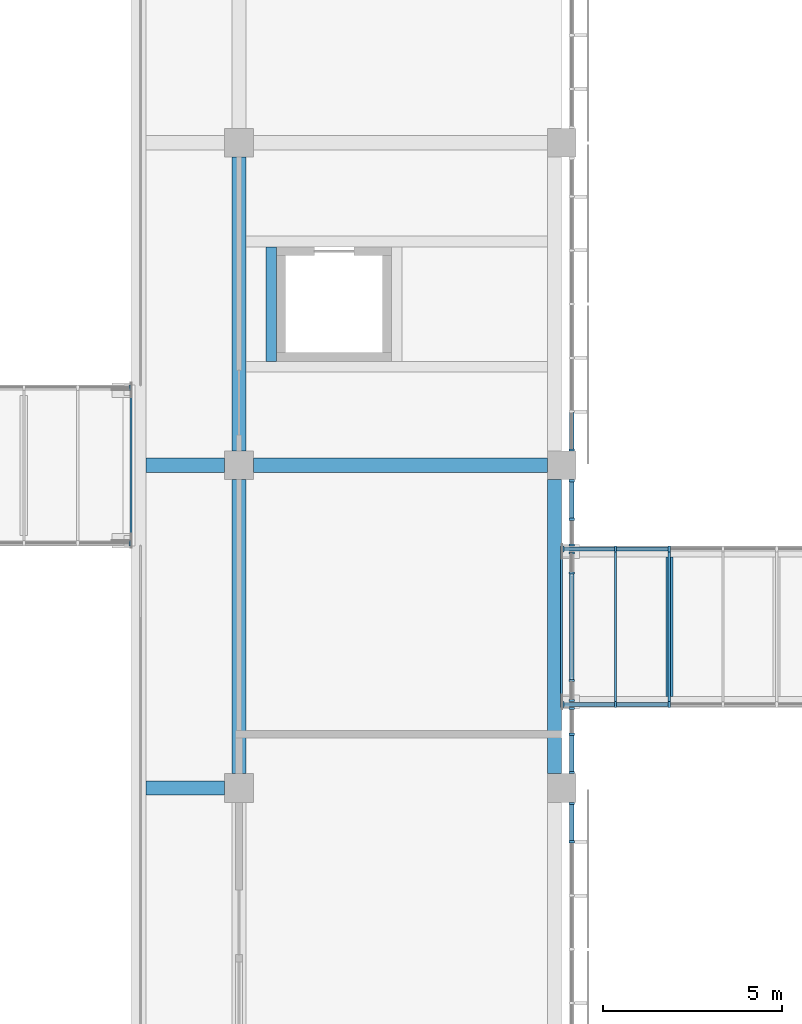
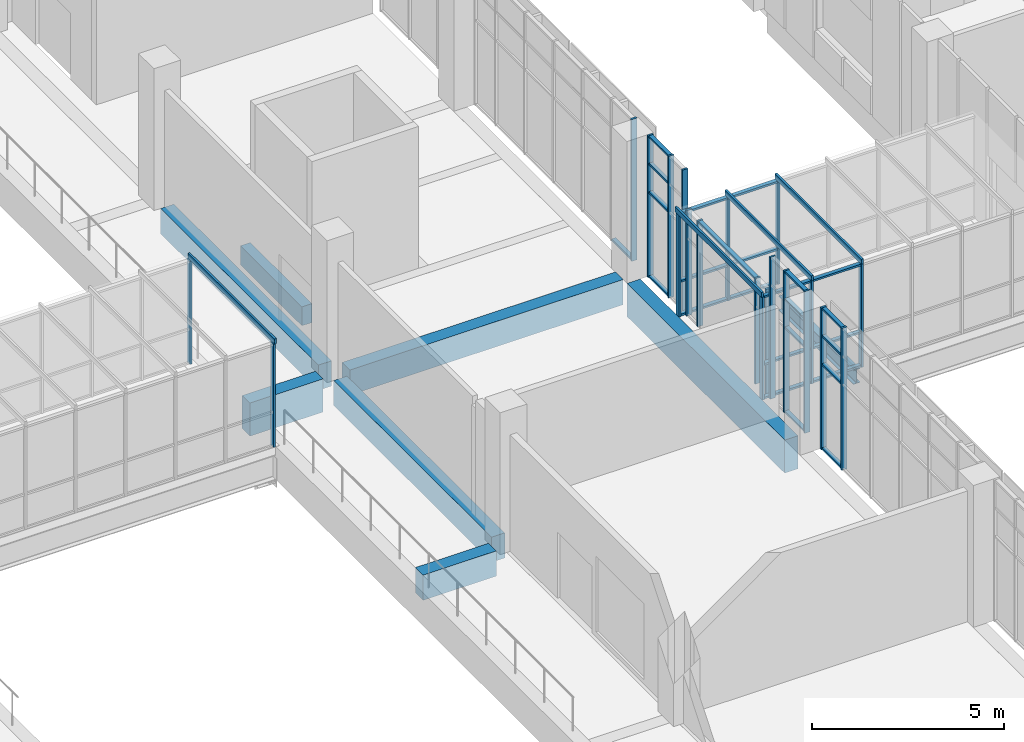
# One storey, part 24 of 88: 52 members, 8 beams, 11 elements without a shape of their own.
"""IFC4 building model written with IfcOpenShell, lengths in metres."""

from ifc_helpers import new_model, si_unit, direction, frame, origin, origin_2d, place, context, subcontext, project, spatial, rectangle, i_section, extrude, material, layer, layer_set, material_profile, profile_set, type_object, element, aggregate, save


model = new_model("IFC4")

# Units and contexts
model_context = context("Model", 3, precision=1e-05, world=origin(), true_north=direction((0.0, 1.0)))
body_context = subcontext(model_context, "Body", "Model", "MODEL_VIEW")
ifc_project = project(units=[si_unit("LENGTHUNIT", "METRE"), si_unit("AREAUNIT", "SQUARE_METRE"), si_unit("VOLUMEUNIT", "CUBIC_METRE"), si_unit("PLANEANGLEUNIT", "RADIAN"), si_unit("MASSUNIT", "GRAM", prefix="KILO")], contexts=[model_context])

# Site, building, storey
site_placement = place(None, origin())
site = spatial("IfcSite", under=ifc_project, at=site_placement, CompositionType="ELEMENT")
building_placement = place(site_placement, origin())
building = spatial("IfcBuilding", under=site, at=building_placement, Name="Guidao Yard Department Store", CompositionType="ELEMENT")
storey_placement = place(building_placement, frame((0.0, 0.0, 6.0)))
storey = spatial("IfcBuildingStorey", under=building, at=storey_placement, Name="L01", CompositionType="ELEMENT", Elevation=6.0)

# Beams
ifc_material_1 = material(Name="Concrete C40", Category="concrete")
ifc_material_profile_1 = material_profile(ifc_material_1, rectangle(XDim=0.39990234375, YDim=1.050048828125, at=origin_2d()), Name="Bridge landing beam 400 x 1050 C40")
ifc_profile_set_1 = profile_set([ifc_material_profile_1], Name="Concrete C40")
beam_type_1 = type_object("IfcBeamType", Name="Bridge landing beam 400 x 1050 C40", PredefinedType="BEAM", material=ifc_profile_set_1)
beam_1_placement = place(storey_placement, frame((107.800048828125, 81.39990234375, -0.52490234375), z_axis=(0.0, 1.0, 0.0), x_axis=(-1.0, 0.0, 0.0)))
element("IfcBeam", 1, at=beam_1_placement, inside=storey, type_object=beam_type_1, Name="Beam LB09", PredefinedType="BEAM", context=body_context, shape_type="SweptSolid", body=[
    extrude(rectangle(XDim=0.39990234375, YDim=1.050048828125, at=origin_2d()), origin(), (0.0, 0.0, 1.0), 8.2001953125),
])
beam_2_placement = place(storey_placement, frame((96.39990234375, 90.0, -0.52490234375), z_axis=(1.0, 0.0, 0.0), x_axis=(0.0, 1.0, 0.0)))
element("IfcBeam", 2, at=beam_2_placement, inside=storey, type_object=beam_type_1, Name="Beam LB11", PredefinedType="BEAM", context=body_context, shape_type="SweptSolid", body=[
    extrude(rectangle(XDim=0.39990234375, YDim=1.050048828125, at=origin_2d()), origin(), (0.0, 0.0, 1.0), 2.2001953125),
])
ifc_material_2 = material(Name="Concrete C40", Category="concrete")
ifc_material_profile_2 = material_profile(ifc_material_2, rectangle(XDim=0.39990234375, YDim=0.800048828125, at=origin_2d()), Name="Edge beam 400 x 800 C40")
ifc_profile_set_2 = profile_set([ifc_material_profile_2], Name="Concrete C40")
beam_type_2 = type_object("IfcBeamType", Name="Edge beam 400 x 800 C40", PredefinedType="BEAM", material=ifc_profile_set_2)
for number, where, z_axis, x_axis, name in (
    (3, (99.0, 81.39990234375, -0.39990234375), (0.0, 1.0, 0.0), (-1.0, 0.0, 0.0), "Beam EB52"),
    (4, (99.0, 90.39990234375, -0.39990234375), (0.0, 1.0, 0.0), (-1.0, 0.0, 0.0), "Beam EB53"),
):
    element("IfcBeam", number, at=place(storey_placement, frame(where, z_axis=z_axis, x_axis=x_axis)), inside=storey, type_object=beam_type_2, Name=name, PredefinedType="BEAM", context=body_context, shape_type="SweptSolid", body=[
        extrude(rectangle(XDim=0.39990234375, YDim=0.800048828125, at=origin_2d()), origin(), (0.0, 0.0, 1.0), 8.2001953125),
    ])
beam_3_placement = place(storey_placement, frame((96.39990234375, 81.0, -0.39990234375), z_axis=(1.0, 0.0, 0.0), x_axis=(0.0, 1.0, 0.0)))
element("IfcBeam", 5, at=beam_3_placement, inside=storey, type_object=beam_type_2, Name="Beam EB58", PredefinedType="BEAM", context=body_context, shape_type="SweptSolid", body=[
    extrude(rectangle(XDim=0.39990234375, YDim=0.800048828125, at=origin_2d()), origin(), (0.0, 0.0, 1.0), 2.2001953125),
])
beam_4_placement = place(storey_placement, frame((99.39990234375, 90.0, -0.39990234375), z_axis=(1.0, 0.0, 0.0), x_axis=(0.0, 1.0, 0.0)))
element("IfcBeam", 6, at=beam_4_placement, inside=storey, type_object=beam_type_2, Name="Beam EB100", PredefinedType="BEAM", context=body_context, shape_type="SweptSolid", body=[
    extrude(rectangle(XDim=0.39990234375, YDim=0.800048828125, at=origin_2d()), origin(), (0.0, 0.0, 1.0), 8.2001953125),
])
ifc_material_3 = material(Name="Steel Q355B", Category="steel")
ifc_material_profile_3 = material_profile(ifc_material_3, i_section(OverallWidth=0.199951171875, OverallDepth=0.449951171875, WebThickness=0.009033203125, FlangeThickness=0.013916015625, FilletRadius=0.012939453125, at=origin_2d()), Name="HN 450x200x9x14")
ifc_profile_set_3 = profile_set([ifc_material_profile_3], Name="Steel Q355B")
beam_type_3 = type_object("IfcBeamType", Name="HN 450x200x9x14", PredefinedType="BEAM", material=ifc_profile_set_3)
beam_5_placement = place(storey_placement, frame((111.0048828125, 83.550048828125, -0.47509765625), z_axis=(0.0, 1.0, 0.0), x_axis=(-1.0, 0.0, 0.0)))
element("IfcBeam", 7, at=beam_5_placement, inside=storey, type_object=beam_type_3, Name="Bridge cross beam BR07-1", PredefinedType="BEAM", context=body_context, shape_type="SweptSolid", body=[
    extrude(i_section(OverallWidth=0.199951171875, OverallDepth=0.449951171875, WebThickness=0.009033203125, FlangeThickness=0.013916015625, FilletRadius=0.012939453125, at=origin_2d()), origin(), (0.0, 0.0, 1.0), 3.89990234375),
])

# Curtain wall, members
ifc_material_4 = material(Name="Aluminium and glass", Category="aluminium")
ifc_layer_1 = layer(ifc_material_4, 0.159912109375)
ifc_layer_set_1 = layer_set([ifc_layer_1], Name="Shopfront curtain wall CW1 1500 module")
curtain_wall_type_1 = type_object("IfcCurtainWallType", Name="Shopfront curtain wall CW1 1500 module", PredefinedType="NOTDEFINED", material=ifc_layer_set_1)
curtain_wall_1_placement = place(storey_placement, origin())
curtain_wall_1 = element("IfcCurtainWall", 8, at=curtain_wall_1_placement, inside=storey, type_object=curtain_wall_type_1, Name="Arcade shop front", PredefinedType="NOTDEFINED")
ifc_material_5 = material(Name="Aluminium 6063-T5", Category="aluminium")
ifc_material_profile_4 = material_profile(ifc_material_5, rectangle(XDim=0.06005859375, YDim=0.159912109375, at=origin_2d()), Name="Mullion M1 60 x 160 aluminium pressure plate")
ifc_profile_set_4 = profile_set([ifc_material_profile_4], Name="Aluminium 6063-T5")
member_type_1 = type_object("IfcMemberType", Name="Mullion M1 60 x 160 aluminium pressure plate", PredefinedType="MULLION", material=ifc_profile_set_4)
member_1_placement = place(storey_placement, frame((108.280029296875, 79.5, 0.0), z_axis=(0.0, 0.0, 1.0), x_axis=(0.0, -1.0, 0.0)))
member_1 = element("IfcMember", 9, at=member_1_placement, type_object=member_type_1, Name="CW-AS-L01-17 mullion 6", PredefinedType="MULLION", context=body_context, shape_type="SweptSolid", body=[
    extrude(rectangle(XDim=0.06005859375, YDim=0.159912109375, at=origin_2d()), origin(), (0.0, 0.0, 1.0), 4.5),
])
member_2_placement = place(storey_placement, frame((108.280029296875, 80.570068359375, 0.0), z_axis=(0.0, 0.0, 1.0), x_axis=(0.0, -1.0, 0.0)))
member_2 = element("IfcMember", 10, at=member_2_placement, type_object=member_type_1, Name="CW-AS-L01-17 mullion 7", PredefinedType="MULLION", context=body_context, shape_type="SweptSolid", body=[
    extrude(rectangle(XDim=0.06005859375, YDim=0.159912109375, at=origin_2d()), origin(), (0.0, 0.0, 1.0), 4.5),
])

curtain_wall_2_placement = place(storey_placement, origin())
curtain_wall_2 = element("IfcCurtainWall", 11, at=curtain_wall_2_placement, inside=storey, type_object=curtain_wall_type_1, Name="Arcade shop front", PredefinedType="NOTDEFINED")
member_3_placement = place(storey_placement, frame((108.280029296875, 81.429931640625, 0.0), z_axis=(0.0, 0.0, 1.0), x_axis=(0.0, -1.0, 0.0)))
member_3 = element("IfcMember", 12, at=member_3_placement, type_object=member_type_1, Name="CW-AS-L01-18 mullion 1", PredefinedType="MULLION", context=body_context, shape_type="SweptSolid", body=[
    extrude(rectangle(XDim=0.06005859375, YDim=0.159912109375, at=origin_2d()), origin(), (0.0, 0.0, 1.0), 4.5),
])
member_4_placement = place(storey_placement, frame((108.280029296875, 82.5, 0.0), z_axis=(0.0, 0.0, 1.0), x_axis=(0.0, -1.0, 0.0)))
member_4 = element("IfcMember", 13, at=member_4_placement, type_object=member_type_1, Name="CW-AS-L01-18 mullion 2", PredefinedType="MULLION", context=body_context, shape_type="SweptSolid", body=[
    extrude(rectangle(XDim=0.06005859375, YDim=0.159912109375, at=origin_2d()), origin(), (0.0, 0.0, 1.0), 4.5),
])
member_5_placement = place(storey_placement, frame((108.280029296875, 83.219970703125, 0.0), z_axis=(0.0, 0.0, 1.0), x_axis=(0.0, -1.0, 0.0)))
member_5 = element("IfcMember", 14, at=member_5_placement, type_object=member_type_1, Name="CW-AS-L01-18 mullion 3", PredefinedType="MULLION", context=body_context, shape_type="SweptSolid", body=[
    extrude(rectangle(XDim=0.06005859375, YDim=0.159912109375, at=origin_2d()), origin(), (0.0, 0.0, 1.0), 4.5),
])

curtain_wall_3_placement = place(storey_placement, origin())
curtain_wall_3 = element("IfcCurtainWall", 15, at=curtain_wall_3_placement, inside=storey, type_object=curtain_wall_type_1, Name="Arcade shop front", PredefinedType="NOTDEFINED")
member_6_placement = place(storey_placement, frame((108.280029296875, 83.43994140625, 0.0), z_axis=(0.0, 0.0, 1.0), x_axis=(0.0, -1.0, 0.0)))
member_6 = element("IfcMember", 16, at=member_6_placement, type_object=member_type_1, Name="CW-AS-L01-19 mullion 1", PredefinedType="MULLION", context=body_context, shape_type="SweptSolid", body=[
    extrude(rectangle(XDim=0.06005859375, YDim=0.159912109375, at=origin_2d()), origin(), (0.0, 0.0, 1.0), 3.35009765625),
])
member_7_placement = place(storey_placement, frame((108.280029296875, 84.0, 0.0), z_axis=(0.0, 0.0, 1.0), x_axis=(0.0, -1.0, 0.0)))
member_7 = element("IfcMember", 17, at=member_7_placement, type_object=member_type_1, Name="CW-AS-L01-19 mullion 2", PredefinedType="MULLION", context=body_context, shape_type="SweptSolid", body=[
    extrude(rectangle(XDim=0.06005859375, YDim=0.159912109375, at=origin_2d()), origin(), (0.0, 0.0, 1.0), 3.35009765625),
])
member_8_placement = place(storey_placement, frame((108.280029296875, 87.0, 0.0), z_axis=(0.0, 0.0, 1.0), x_axis=(0.0, -1.0, 0.0)))
member_8 = element("IfcMember", 18, at=member_8_placement, type_object=member_type_1, Name="CW-AS-L01-19 mullion 3", PredefinedType="MULLION", context=body_context, shape_type="SweptSolid", body=[
    extrude(rectangle(XDim=0.06005859375, YDim=0.159912109375, at=origin_2d()), origin(), (0.0, 0.0, 1.0), 3.35009765625),
])
member_9_placement = place(storey_placement, frame((108.280029296875, 87.56005859375, 0.0), z_axis=(0.0, 0.0, 1.0), x_axis=(0.0, -1.0, 0.0)))
member_9 = element("IfcMember", 19, at=member_9_placement, type_object=member_type_1, Name="CW-AS-L01-19 mullion 4", PredefinedType="MULLION", context=body_context, shape_type="SweptSolid", body=[
    extrude(rectangle(XDim=0.06005859375, YDim=0.159912109375, at=origin_2d()), origin(), (0.0, 0.0, 1.0), 3.35009765625),
])

curtain_wall_4_placement = place(storey_placement, origin())
curtain_wall_4 = element("IfcCurtainWall", 20, at=curtain_wall_4_placement, inside=storey, type_object=curtain_wall_type_1, Name="Arcade shop front", PredefinedType="NOTDEFINED")
member_10_placement = place(storey_placement, frame((108.280029296875, 87.780029296875, 0.0), z_axis=(0.0, 0.0, 1.0), x_axis=(0.0, -1.0, 0.0)))
member_10 = element("IfcMember", 21, at=member_10_placement, type_object=member_type_1, Name="CW-AS-L01-20 mullion 1", PredefinedType="MULLION", context=body_context, shape_type="SweptSolid", body=[
    extrude(rectangle(XDim=0.06005859375, YDim=0.159912109375, at=origin_2d()), origin(), (0.0, 0.0, 1.0), 4.5),
])
member_11_placement = place(storey_placement, frame((108.280029296875, 88.5, 0.0), z_axis=(0.0, 0.0, 1.0), x_axis=(0.0, -1.0, 0.0)))
member_11 = element("IfcMember", 22, at=member_11_placement, type_object=member_type_1, Name="CW-AS-L01-20 mullion 2", PredefinedType="MULLION", context=body_context, shape_type="SweptSolid", body=[
    extrude(rectangle(XDim=0.06005859375, YDim=0.159912109375, at=origin_2d()), origin(), (0.0, 0.0, 1.0), 4.5),
])
member_12_placement = place(storey_placement, frame((108.280029296875, 89.570068359375, 0.0), z_axis=(0.0, 0.0, 1.0), x_axis=(0.0, -1.0, 0.0)))
member_12 = element("IfcMember", 23, at=member_12_placement, type_object=member_type_1, Name="CW-AS-L01-20 mullion 3", PredefinedType="MULLION", context=body_context, shape_type="SweptSolid", body=[
    extrude(rectangle(XDim=0.06005859375, YDim=0.159912109375, at=origin_2d()), origin(), (0.0, 0.0, 1.0), 4.5),
])

# Curtain wall, member
curtain_wall_5_placement = place(storey_placement, origin())
curtain_wall_5 = element("IfcCurtainWall", 24, at=curtain_wall_5_placement, inside=storey, type_object=curtain_wall_type_1, Name="Arcade shop front", PredefinedType="NOTDEFINED")
member_13_placement = place(storey_placement, frame((108.280029296875, 90.429931640625, 0.0), z_axis=(0.0, 0.0, 1.0), x_axis=(0.0, -1.0, 0.0)))
member_13 = element("IfcMember", 25, at=member_13_placement, type_object=member_type_1, Name="CW-AS-L01-21 mullion 1", PredefinedType="MULLION", context=body_context, shape_type="SweptSolid", body=[
    extrude(rectangle(XDim=0.06005859375, YDim=0.159912109375, at=origin_2d()), origin(), (0.0, 0.0, 1.0), 4.5),
])

# Curtain wall, members
ifc_material_6 = material(Name="Aluminium and glass", Category="aluminium")
ifc_layer_2 = layer(ifc_material_6, 0.159912109375)
ifc_layer_set_2 = layer_set([ifc_layer_2], Name="Bridge glazing CW5 1500 module")
curtain_wall_type_2 = type_object("IfcCurtainWallType", Name="Bridge glazing CW5 1500 module", PredefinedType="NOTDEFINED", material=ifc_layer_set_2)
curtain_wall_6_placement = place(storey_placement, origin())
curtain_wall_6 = element("IfcCurtainWall", 26, at=curtain_wall_6_placement, inside=storey, type_object=curtain_wall_type_2, Name="Bridge glazing BR07 S", PredefinedType="NOTDEFINED")
member_14_placement = place(storey_placement, frame((108.030029296875, 83.330078125, 0.0), z_axis=(0.0, 0.0, 1.0), x_axis=(-1.0, 0.0, 0.0)))
member_14 = element("IfcMember", 27, at=member_14_placement, type_object=member_type_1, Name="CW-S-L01-07 mullion 1", PredefinedType="MULLION", context=body_context, shape_type="SweptSolid", body=[
    extrude(rectangle(XDim=0.06005859375, YDim=0.159912109375, at=origin_2d()), origin(), (0.0, 0.0, 1.0), 3.27001953125),
])
member_15_placement = place(storey_placement, frame((109.5, 83.330078125, 0.0), z_axis=(0.0, 0.0, 1.0), x_axis=(-1.0, 0.0, 0.0)))
member_15 = element("IfcMember", 28, at=member_15_placement, type_object=member_type_1, Name="CW-S-L01-07 mullion 2", PredefinedType="MULLION", context=body_context, shape_type="SweptSolid", body=[
    extrude(rectangle(XDim=0.06005859375, YDim=0.159912109375, at=origin_2d()), origin(), (0.0, 0.0, 1.0), 3.27001953125),
])
member_16_placement = place(storey_placement, frame((111.0, 83.330078125, 0.0), z_axis=(0.0, 0.0, 1.0), x_axis=(-1.0, 0.0, 0.0)))
member_16 = element("IfcMember", 29, at=member_16_placement, type_object=member_type_1, Name="CW-S-L01-07 mullion 3", PredefinedType="MULLION", context=body_context, shape_type="SweptSolid", body=[
    extrude(rectangle(XDim=0.06005859375, YDim=0.159912109375, at=origin_2d()), origin(), (0.0, 0.0, 1.0), 3.27001953125),
])

curtain_wall_7_placement = place(storey_placement, origin())
curtain_wall_7 = element("IfcCurtainWall", 30, at=curtain_wall_7_placement, inside=storey, type_object=curtain_wall_type_2, Name="Bridge glazing BR07 N", PredefinedType="NOTDEFINED")
member_17_placement = place(storey_placement, frame((108.030029296875, 87.669921875, 0.0), z_axis=(0.0, 0.0, 1.0), x_axis=(1.0, 0.0, 0.0)))
member_17 = element("IfcMember", 31, at=member_17_placement, type_object=member_type_1, Name="CW-N-L01-08 mullion 1", PredefinedType="MULLION", context=body_context, shape_type="SweptSolid", body=[
    extrude(rectangle(XDim=0.06005859375, YDim=0.159912109375, at=origin_2d()), origin(), (0.0, 0.0, 1.0), 3.27001953125),
])
member_18_placement = place(storey_placement, frame((109.5, 87.669921875, 0.0), z_axis=(0.0, 0.0, 1.0), x_axis=(1.0, 0.0, 0.0)))
member_18 = element("IfcMember", 32, at=member_18_placement, type_object=member_type_1, Name="CW-N-L01-08 mullion 2", PredefinedType="MULLION", context=body_context, shape_type="SweptSolid", body=[
    extrude(rectangle(XDim=0.06005859375, YDim=0.159912109375, at=origin_2d()), origin(), (0.0, 0.0, 1.0), 3.27001953125),
])
member_19_placement = place(storey_placement, frame((111.0, 87.669921875, 0.0), z_axis=(0.0, 0.0, 1.0), x_axis=(1.0, 0.0, 0.0)))
member_19 = element("IfcMember", 33, at=member_19_placement, type_object=member_type_1, Name="CW-N-L01-08 mullion 3", PredefinedType="MULLION", context=body_context, shape_type="SweptSolid", body=[
    extrude(rectangle(XDim=0.06005859375, YDim=0.159912109375, at=origin_2d()), origin(), (0.0, 0.0, 1.0), 3.27001953125),
])

# Curtain wall, member
curtain_wall_8_placement = place(storey_placement, origin())
curtain_wall_8 = element("IfcCurtainWall", 34, at=curtain_wall_8_placement, inside=storey, type_object=curtain_wall_type_2, Name="Bridge glazing BR10 S", PredefinedType="NOTDEFINED")
member_20_placement = place(storey_placement, frame((95.955078125, 87.830078125, 0.0), z_axis=(0.0, 0.0, 1.0), x_axis=(-1.0, 0.0, 0.0)))
member_20 = element("IfcMember", 35, at=member_20_placement, type_object=member_type_1, Name="CW-S-L01-11 mullion 9", PredefinedType="MULLION", context=body_context, shape_type="SweptSolid", body=[
    extrude(rectangle(XDim=0.06005859375, YDim=0.159912109375, at=origin_2d()), origin(), (0.0, 0.0, 1.0), 3.27001953125),
])
aggregate(curtain_wall_8, [member_20])

curtain_wall_9_placement = place(storey_placement, origin())
curtain_wall_9 = element("IfcCurtainWall", 36, at=curtain_wall_9_placement, inside=storey, type_object=curtain_wall_type_2, Name="Bridge glazing BR10 N", PredefinedType="NOTDEFINED")
member_21_placement = place(storey_placement, frame((95.955078125, 92.169921875, 0.0), z_axis=(0.0, 0.0, 1.0), x_axis=(1.0, 0.0, 0.0)))
member_21 = element("IfcMember", 37, at=member_21_placement, type_object=member_type_1, Name="CW-N-L01-12 mullion 9", PredefinedType="MULLION", context=body_context, shape_type="SweptSolid", body=[
    extrude(rectangle(XDim=0.06005859375, YDim=0.159912109375, at=origin_2d()), origin(), (0.0, 0.0, 1.0), 3.27001953125),
])
aggregate(curtain_wall_9, [member_21])

# Beam
ifc_material_7 = material(Name="Concrete C40", Category="concrete")
ifc_material_profile_5 = material_profile(ifc_material_7, rectangle(XDim=0.300048828125, YDim=0.60009765625, at=origin_2d()), Name="Opening beam 300 x 600 C40")
ifc_profile_set_5 = profile_set([ifc_material_profile_5], Name="Concrete C40")
beam_type_4 = type_object("IfcBeamType", Name="Opening beam 300 x 600 C40", PredefinedType="BEAM", material=ifc_profile_set_5)
beam_6_placement = place(storey_placement, frame((99.89990234375, 92.89990234375, -0.300048828125), z_axis=(0.0, 1.0, 0.0), x_axis=(-1.0, 0.0, 0.0)))
element("IfcBeam", 38, at=beam_6_placement, inside=storey, type_object=beam_type_4, Name="Beam OB27", PredefinedType="BEAM", context=body_context, shape_type="SweptSolid", body=[
    extrude(rectangle(XDim=0.300048828125, YDim=0.60009765625, at=origin_2d()), origin(), (0.0, 0.0, 1.0), 3.2001953125),
])

# Curtain wall, members
curtain_wall_10_placement = place(storey_placement, origin())
curtain_wall_10 = element("IfcCurtainWall", 39, at=curtain_wall_10_placement, inside=storey, type_object=curtain_wall_type_2, Name="Bridge roof glazing BR07", PredefinedType="NOTDEFINED")
ifc_material_8 = material(Name="Aluminium 6063-T5", Category="aluminium")
ifc_material_profile_6 = material_profile(ifc_material_8, rectangle(XDim=0.06005859375, YDim=0.159912109375, at=origin_2d()), Name="Roof bar RB1 60 x 160 aluminium")
ifc_profile_set_6 = profile_set([ifc_material_profile_6], Name="Aluminium 6063-T5")
member_type_2 = type_object("IfcMemberType", Name="Roof bar RB1 60 x 160 aluminium", PredefinedType="USERDEFINED", material=ifc_profile_set_6)
member_22_placement = place(storey_placement, frame((108.0, 83.25, 3.35009765625), z_axis=(0.0, 1.0, 0.0), x_axis=(-1.0, 0.0, 0.0)))
member_22 = element("IfcMember", 40, at=member_22_placement, type_object=member_type_2, Name="Bridge roof bar BR07", ObjectType="TRANSOM", PredefinedType="USERDEFINED", context=body_context, shape_type="SweptSolid", body=[
    extrude(rectangle(XDim=0.06005859375, YDim=0.159912109375, at=origin_2d()), origin(), (0.0, 0.0, 1.0), 4.5),
])
member_23_placement = place(storey_placement, frame((109.5, 83.25, 3.35009765625), z_axis=(0.0, 1.0, 0.0), x_axis=(-1.0, 0.0, 0.0)))
member_23 = element("IfcMember", 41, at=member_23_placement, type_object=member_type_2, Name="Bridge roof bar BR07", ObjectType="TRANSOM", PredefinedType="USERDEFINED", context=body_context, shape_type="SweptSolid", body=[
    extrude(rectangle(XDim=0.06005859375, YDim=0.159912109375, at=origin_2d()), origin(), (0.0, 0.0, 1.0), 4.5),
])
member_24_placement = place(storey_placement, frame((111.0, 83.25, 3.35009765625), z_axis=(0.0, 1.0, 0.0), x_axis=(-1.0, 0.0, 0.0)))
member_24 = element("IfcMember", 42, at=member_24_placement, type_object=member_type_2, Name="Bridge roof bar BR07", ObjectType="TRANSOM", PredefinedType="USERDEFINED", context=body_context, shape_type="SweptSolid", body=[
    extrude(rectangle(XDim=0.06005859375, YDim=0.159912109375, at=origin_2d()), origin(), (0.0, 0.0, 1.0), 4.5),
])
aggregate(curtain_wall_10, [member_22, member_23, member_24])

# Curtain wall, member
curtain_wall_11_placement = place(storey_placement, origin())
curtain_wall_11 = element("IfcCurtainWall", 43, at=curtain_wall_11_placement, inside=storey, type_object=curtain_wall_type_2, Name="Bridge roof glazing BR10", PredefinedType="NOTDEFINED")
member_25_placement = place(storey_placement, frame((95.985107421875, 87.75, 3.35009765625), z_axis=(0.0, 1.0, 0.0), x_axis=(-1.0, 0.0, 0.0)))
member_25 = element("IfcMember", 44, at=member_25_placement, type_object=member_type_2, Name="Bridge roof bar BR10", ObjectType="TRANSOM", PredefinedType="USERDEFINED", context=body_context, shape_type="SweptSolid", body=[
    extrude(rectangle(XDim=0.06005859375, YDim=0.159912109375, at=origin_2d()), origin(), (0.0, 0.0, 1.0), 4.5),
])
aggregate(curtain_wall_11, [member_25])

# Member
ifc_material_9 = material(Name="Aluminium 6063-T5", Category="aluminium")
ifc_material_profile_7 = material_profile(ifc_material_9, rectangle(XDim=0.1201171875, YDim=0.06005859375, at=origin_2d()), Name="Transom T1 60 x 120 aluminium pressure plate")
ifc_profile_set_7 = profile_set([ifc_material_profile_7], Name="Aluminium 6063-T5")
member_type_3 = type_object("IfcMemberType", Name="Transom T1 60 x 120 aluminium pressure plate", PredefinedType="USERDEFINED", material=ifc_profile_set_7)
member_26_placement = place(storey_placement, frame((108.280029296875, 80.5400390625, 0.030029296875), z_axis=(0.0, -1.0, 0.0), x_axis=(1.0, 0.0, 0.0)))
member_26 = element("IfcMember", 45, at=member_26_placement, type_object=member_type_3, Name="CW-AS-L01-17 transom 6.1", ObjectType="TRANSOM", PredefinedType="USERDEFINED", context=body_context, shape_type="SweptSolid", body=[
    extrude(rectangle(XDim=0.1201171875, YDim=0.06005859375, at=origin_2d()), origin(), (0.0, 0.0, 1.0), 1.010009765625),
])

member_27_placement = place(storey_placement, frame((108.280029296875, 80.5400390625, 2.699951171875), z_axis=(0.0, -1.0, 0.0), x_axis=(1.0, 0.0, 0.0)))
member_27 = element("IfcMember", 46, at=member_27_placement, type_object=member_type_3, Name="CW-AS-L01-17 transom 6.2", ObjectType="TRANSOM", PredefinedType="USERDEFINED", context=body_context, shape_type="SweptSolid", body=[
    extrude(rectangle(XDim=0.1201171875, YDim=0.06005859375, at=origin_2d()), origin(), (0.0, 0.0, 1.0), 1.010009765625),
])

member_28_placement = place(storey_placement, frame((108.280029296875, 80.5400390625, 3.60009765625), z_axis=(0.0, -1.0, 0.0), x_axis=(1.0, 0.0, 0.0)))
member_28 = element("IfcMember", 47, at=member_28_placement, type_object=member_type_3, Name="CW-AS-L01-17 transom 6.3", ObjectType="TRANSOM", PredefinedType="USERDEFINED", context=body_context, shape_type="SweptSolid", body=[
    extrude(rectangle(XDim=0.1201171875, YDim=0.06005859375, at=origin_2d()), origin(), (0.0, 0.0, 1.0), 1.010009765625),
])

member_29_placement = place(storey_placement, frame((108.280029296875, 80.5400390625, 4.469970703125), z_axis=(0.0, -1.0, 0.0), x_axis=(1.0, 0.0, 0.0)))
member_29 = element("IfcMember", 48, at=member_29_placement, type_object=member_type_3, Name="CW-AS-L01-17 transom 6.4", ObjectType="TRANSOM", PredefinedType="USERDEFINED", context=body_context, shape_type="SweptSolid", body=[
    extrude(rectangle(XDim=0.1201171875, YDim=0.06005859375, at=origin_2d()), origin(), (0.0, 0.0, 1.0), 1.010009765625),
])

aggregate(curtain_wall_1, [member_1, member_2, member_26, member_27, member_28, member_29])

member_30_placement = place(storey_placement, frame((108.280029296875, 82.469970703125, 0.030029296875), z_axis=(0.0, -1.0, 0.0), x_axis=(1.0, 0.0, 0.0)))
member_30 = element("IfcMember", 49, at=member_30_placement, type_object=member_type_3, Name="CW-AS-L01-18 transom 1.1", ObjectType="TRANSOM", PredefinedType="USERDEFINED", context=body_context, shape_type="SweptSolid", body=[
    extrude(rectangle(XDim=0.1201171875, YDim=0.06005859375, at=origin_2d()), origin(), (0.0, 0.0, 1.0), 1.010009765625),
])

member_31_placement = place(storey_placement, frame((108.280029296875, 82.469970703125, 2.699951171875), z_axis=(0.0, -1.0, 0.0), x_axis=(1.0, 0.0, 0.0)))
member_31 = element("IfcMember", 50, at=member_31_placement, type_object=member_type_3, Name="CW-AS-L01-18 transom 1.2", ObjectType="TRANSOM", PredefinedType="USERDEFINED", context=body_context, shape_type="SweptSolid", body=[
    extrude(rectangle(XDim=0.1201171875, YDim=0.06005859375, at=origin_2d()), origin(), (0.0, 0.0, 1.0), 1.010009765625),
])

member_32_placement = place(storey_placement, frame((108.280029296875, 82.469970703125, 3.60009765625), z_axis=(0.0, -1.0, 0.0), x_axis=(1.0, 0.0, 0.0)))
member_32 = element("IfcMember", 51, at=member_32_placement, type_object=member_type_3, Name="CW-AS-L01-18 transom 1.3", ObjectType="TRANSOM", PredefinedType="USERDEFINED", context=body_context, shape_type="SweptSolid", body=[
    extrude(rectangle(XDim=0.1201171875, YDim=0.06005859375, at=origin_2d()), origin(), (0.0, 0.0, 1.0), 1.010009765625),
])

member_33_placement = place(storey_placement, frame((108.280029296875, 82.469970703125, 4.469970703125), z_axis=(0.0, -1.0, 0.0), x_axis=(1.0, 0.0, 0.0)))
member_33 = element("IfcMember", 52, at=member_33_placement, type_object=member_type_3, Name="CW-AS-L01-18 transom 1.4", ObjectType="TRANSOM", PredefinedType="USERDEFINED", context=body_context, shape_type="SweptSolid", body=[
    extrude(rectangle(XDim=0.1201171875, YDim=0.06005859375, at=origin_2d()), origin(), (0.0, 0.0, 1.0), 1.010009765625),
])

aggregate(curtain_wall_2, [member_3, member_4, member_5, member_30, member_31, member_32, member_33])

member_34_placement = place(storey_placement, frame((108.280029296875, 86.969970703125, 3.0), z_axis=(0.0, -1.0, 0.0), x_axis=(1.0, 0.0, 0.0)))
member_34 = element("IfcMember", 53, at=member_34_placement, type_object=member_type_3, Name="CW-AS-L01-19 transom 2.2", ObjectType="TRANSOM", PredefinedType="USERDEFINED", context=body_context, shape_type="SweptSolid", body=[
    extrude(rectangle(XDim=0.1201171875, YDim=0.06005859375, at=origin_2d()), origin(), (0.0, 0.0, 1.0), 2.93994140625),
])

member_35_placement = place(storey_placement, frame((108.280029296875, 86.969970703125, 3.320068359375), z_axis=(0.0, -1.0, 0.0), x_axis=(1.0, 0.0, 0.0)))
member_35 = element("IfcMember", 54, at=member_35_placement, type_object=member_type_3, Name="CW-AS-L01-19 transom 2.3", ObjectType="TRANSOM", PredefinedType="USERDEFINED", context=body_context, shape_type="SweptSolid", body=[
    extrude(rectangle(XDim=0.1201171875, YDim=0.06005859375, at=origin_2d()), origin(), (0.0, 0.0, 1.0), 2.93994140625),
])

aggregate(curtain_wall_3, [member_6, member_7, member_8, member_9, member_34, member_35])

member_36_placement = place(storey_placement, frame((108.280029296875, 89.5400390625, 0.030029296875), z_axis=(0.0, -1.0, 0.0), x_axis=(1.0, 0.0, 0.0)))
member_36 = element("IfcMember", 55, at=member_36_placement, type_object=member_type_3, Name="CW-AS-L01-20 transom 2.1", ObjectType="TRANSOM", PredefinedType="USERDEFINED", context=body_context, shape_type="SweptSolid", body=[
    extrude(rectangle(XDim=0.1201171875, YDim=0.06005859375, at=origin_2d()), origin(), (0.0, 0.0, 1.0), 1.010009765625),
])

member_37_placement = place(storey_placement, frame((108.280029296875, 89.5400390625, 2.699951171875), z_axis=(0.0, -1.0, 0.0), x_axis=(1.0, 0.0, 0.0)))
member_37 = element("IfcMember", 56, at=member_37_placement, type_object=member_type_3, Name="CW-AS-L01-20 transom 2.2", ObjectType="TRANSOM", PredefinedType="USERDEFINED", context=body_context, shape_type="SweptSolid", body=[
    extrude(rectangle(XDim=0.1201171875, YDim=0.06005859375, at=origin_2d()), origin(), (0.0, 0.0, 1.0), 1.010009765625),
])

member_38_placement = place(storey_placement, frame((108.280029296875, 89.5400390625, 3.60009765625), z_axis=(0.0, -1.0, 0.0), x_axis=(1.0, 0.0, 0.0)))
member_38 = element("IfcMember", 57, at=member_38_placement, type_object=member_type_3, Name="CW-AS-L01-20 transom 2.3", ObjectType="TRANSOM", PredefinedType="USERDEFINED", context=body_context, shape_type="SweptSolid", body=[
    extrude(rectangle(XDim=0.1201171875, YDim=0.06005859375, at=origin_2d()), origin(), (0.0, 0.0, 1.0), 1.010009765625),
])

member_39_placement = place(storey_placement, frame((108.280029296875, 89.5400390625, 4.469970703125), z_axis=(0.0, -1.0, 0.0), x_axis=(1.0, 0.0, 0.0)))
member_39 = element("IfcMember", 58, at=member_39_placement, type_object=member_type_3, Name="CW-AS-L01-20 transom 2.4", ObjectType="TRANSOM", PredefinedType="USERDEFINED", context=body_context, shape_type="SweptSolid", body=[
    extrude(rectangle(XDim=0.1201171875, YDim=0.06005859375, at=origin_2d()), origin(), (0.0, 0.0, 1.0), 1.010009765625),
])

aggregate(curtain_wall_4, [member_10, member_11, member_12, member_36, member_37, member_38, member_39])

member_40_placement = place(storey_placement, frame((108.280029296875, 91.469970703125, 0.030029296875), z_axis=(0.0, -1.0, 0.0), x_axis=(1.0, 0.0, 0.0)))
member_40 = element("IfcMember", 59, at=member_40_placement, type_object=member_type_3, Name="CW-AS-L01-21 transom 1.1", ObjectType="TRANSOM", PredefinedType="USERDEFINED", context=body_context, shape_type="SweptSolid", body=[
    extrude(rectangle(XDim=0.1201171875, YDim=0.06005859375, at=origin_2d()), origin(), (0.0, 0.0, 1.0), 1.010009765625),
])

aggregate(curtain_wall_5, [member_13, member_40])

member_41_placement = place(storey_placement, frame((109.469970703125, 83.330078125, 0.030029296875), z_axis=(-1.0, 0.0, 0.0), x_axis=(0.0, -1.0, 0.0)))
member_41 = element("IfcMember", 60, at=member_41_placement, type_object=member_type_3, Name="CW-S-L01-07 transom 1.1", ObjectType="TRANSOM", PredefinedType="USERDEFINED", context=body_context, shape_type="SweptSolid", body=[
    extrude(rectangle(XDim=0.1201171875, YDim=0.06005859375, at=origin_2d()), origin(), (0.0, 0.0, 1.0), 1.409912109375),
])

member_42_placement = place(storey_placement, frame((109.469970703125, 83.330078125, 1.10009765625), z_axis=(-1.0, 0.0, 0.0), x_axis=(0.0, -1.0, 0.0)))
member_42 = element("IfcMember", 61, at=member_42_placement, type_object=member_type_3, Name="CW-S-L01-07 transom 1.2", ObjectType="TRANSOM", PredefinedType="USERDEFINED", context=body_context, shape_type="SweptSolid", body=[
    extrude(rectangle(XDim=0.1201171875, YDim=0.06005859375, at=origin_2d()), origin(), (0.0, 0.0, 1.0), 1.409912109375),
])

member_43_placement = place(storey_placement, frame((109.469970703125, 83.330078125, 3.239990234375), z_axis=(-1.0, 0.0, 0.0), x_axis=(0.0, -1.0, 0.0)))
member_43 = element("IfcMember", 62, at=member_43_placement, type_object=member_type_3, Name="CW-S-L01-07 transom 1.3", ObjectType="TRANSOM", PredefinedType="USERDEFINED", context=body_context, shape_type="SweptSolid", body=[
    extrude(rectangle(XDim=0.1201171875, YDim=0.06005859375, at=origin_2d()), origin(), (0.0, 0.0, 1.0), 1.409912109375),
])

member_44_placement = place(storey_placement, frame((110.969970703125, 83.330078125, 0.030029296875), z_axis=(-1.0, 0.0, 0.0), x_axis=(0.0, -1.0, 0.0)))
member_44 = element("IfcMember", 63, at=member_44_placement, type_object=member_type_3, Name="CW-S-L01-07 transom 2.1", ObjectType="TRANSOM", PredefinedType="USERDEFINED", context=body_context, shape_type="SweptSolid", body=[
    extrude(rectangle(XDim=0.1201171875, YDim=0.06005859375, at=origin_2d()), origin(), (0.0, 0.0, 1.0), 1.43994140625),
])

member_45_placement = place(storey_placement, frame((110.969970703125, 83.330078125, 1.10009765625), z_axis=(-1.0, 0.0, 0.0), x_axis=(0.0, -1.0, 0.0)))
member_45 = element("IfcMember", 64, at=member_45_placement, type_object=member_type_3, Name="CW-S-L01-07 transom 2.2", ObjectType="TRANSOM", PredefinedType="USERDEFINED", context=body_context, shape_type="SweptSolid", body=[
    extrude(rectangle(XDim=0.1201171875, YDim=0.06005859375, at=origin_2d()), origin(), (0.0, 0.0, 1.0), 1.43994140625),
])

member_46_placement = place(storey_placement, frame((110.969970703125, 83.330078125, 3.239990234375), z_axis=(-1.0, 0.0, 0.0), x_axis=(0.0, -1.0, 0.0)))
member_46 = element("IfcMember", 65, at=member_46_placement, type_object=member_type_3, Name="CW-S-L01-07 transom 2.3", ObjectType="TRANSOM", PredefinedType="USERDEFINED", context=body_context, shape_type="SweptSolid", body=[
    extrude(rectangle(XDim=0.1201171875, YDim=0.06005859375, at=origin_2d()), origin(), (0.0, 0.0, 1.0), 1.43994140625),
])

aggregate(curtain_wall_6, [member_14, member_15, member_16, member_41, member_42, member_43, member_44, member_45, member_46])

member_47_placement = place(storey_placement, frame((108.06005859375, 87.669921875, 0.030029296875), z_axis=(1.0, 0.0, 0.0), x_axis=(0.0, 1.0, 0.0)))
member_47 = element("IfcMember", 66, at=member_47_placement, type_object=member_type_3, Name="CW-N-L01-08 transom 1.1", ObjectType="TRANSOM", PredefinedType="USERDEFINED", context=body_context, shape_type="SweptSolid", body=[
    extrude(rectangle(XDim=0.1201171875, YDim=0.06005859375, at=origin_2d()), origin(), (0.0, 0.0, 1.0), 1.409912109375),
])

member_48_placement = place(storey_placement, frame((108.06005859375, 87.669921875, 1.10009765625), z_axis=(1.0, 0.0, 0.0), x_axis=(0.0, 1.0, 0.0)))
member_48 = element("IfcMember", 67, at=member_48_placement, type_object=member_type_3, Name="CW-N-L01-08 transom 1.2", ObjectType="TRANSOM", PredefinedType="USERDEFINED", context=body_context, shape_type="SweptSolid", body=[
    extrude(rectangle(XDim=0.1201171875, YDim=0.06005859375, at=origin_2d()), origin(), (0.0, 0.0, 1.0), 1.409912109375),
])

member_49_placement = place(storey_placement, frame((108.06005859375, 87.669921875, 3.239990234375), z_axis=(1.0, 0.0, 0.0), x_axis=(0.0, 1.0, 0.0)))
member_49 = element("IfcMember", 68, at=member_49_placement, type_object=member_type_3, Name="CW-N-L01-08 transom 1.3", ObjectType="TRANSOM", PredefinedType="USERDEFINED", context=body_context, shape_type="SweptSolid", body=[
    extrude(rectangle(XDim=0.1201171875, YDim=0.06005859375, at=origin_2d()), origin(), (0.0, 0.0, 1.0), 1.409912109375),
])

member_50_placement = place(storey_placement, frame((109.530029296875, 87.669921875, 0.030029296875), z_axis=(1.0, 0.0, 0.0), x_axis=(0.0, 1.0, 0.0)))
member_50 = element("IfcMember", 69, at=member_50_placement, type_object=member_type_3, Name="CW-N-L01-08 transom 2.1", ObjectType="TRANSOM", PredefinedType="USERDEFINED", context=body_context, shape_type="SweptSolid", body=[
    extrude(rectangle(XDim=0.1201171875, YDim=0.06005859375, at=origin_2d()), origin(), (0.0, 0.0, 1.0), 1.43994140625),
])

member_51_placement = place(storey_placement, frame((109.530029296875, 87.669921875, 1.10009765625), z_axis=(1.0, 0.0, 0.0), x_axis=(0.0, 1.0, 0.0)))
member_51 = element("IfcMember", 70, at=member_51_placement, type_object=member_type_3, Name="CW-N-L01-08 transom 2.2", ObjectType="TRANSOM", PredefinedType="USERDEFINED", context=body_context, shape_type="SweptSolid", body=[
    extrude(rectangle(XDim=0.1201171875, YDim=0.06005859375, at=origin_2d()), origin(), (0.0, 0.0, 1.0), 1.43994140625),
])

member_52_placement = place(storey_placement, frame((109.530029296875, 87.669921875, 3.239990234375), z_axis=(1.0, 0.0, 0.0), x_axis=(0.0, 1.0, 0.0)))
member_52 = element("IfcMember", 71, at=member_52_placement, type_object=member_type_3, Name="CW-N-L01-08 transom 2.3", ObjectType="TRANSOM", PredefinedType="USERDEFINED", context=body_context, shape_type="SweptSolid", body=[
    extrude(rectangle(XDim=0.1201171875, YDim=0.06005859375, at=origin_2d()), origin(), (0.0, 0.0, 1.0), 1.43994140625),
])

aggregate(curtain_wall_7, [member_17, member_18, member_19, member_47, member_48, member_49, member_50, member_51, member_52])

save(model, "model.ifc")
